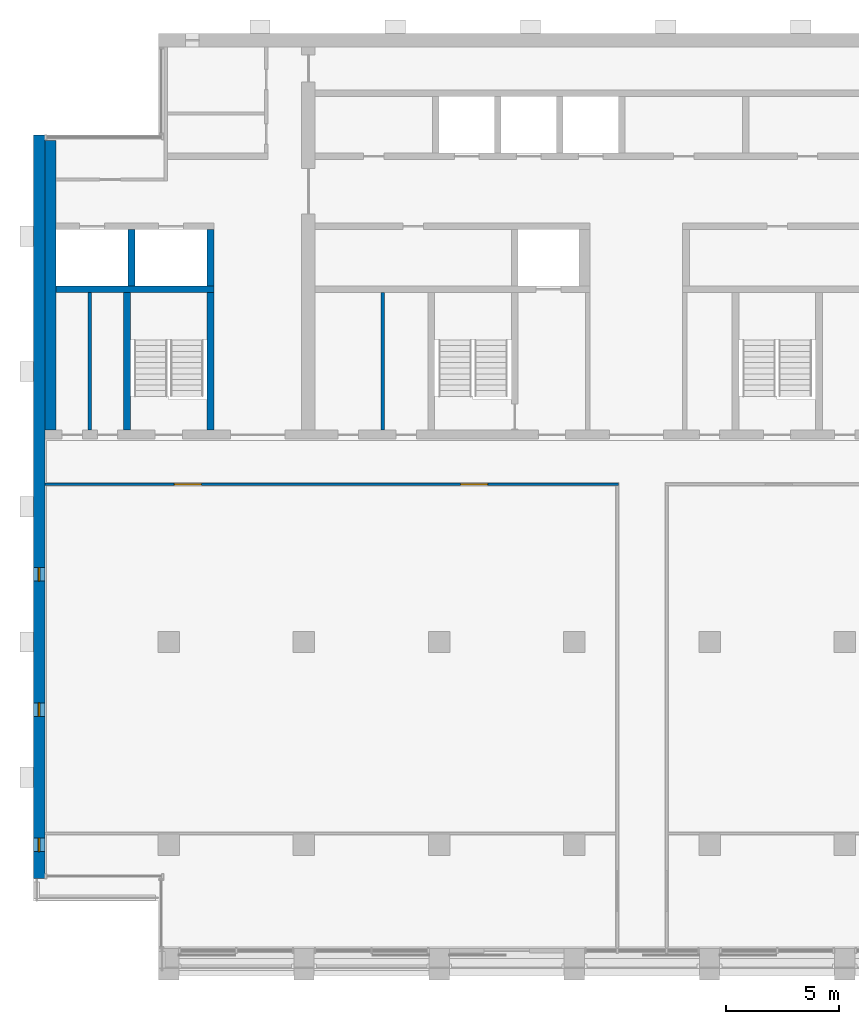
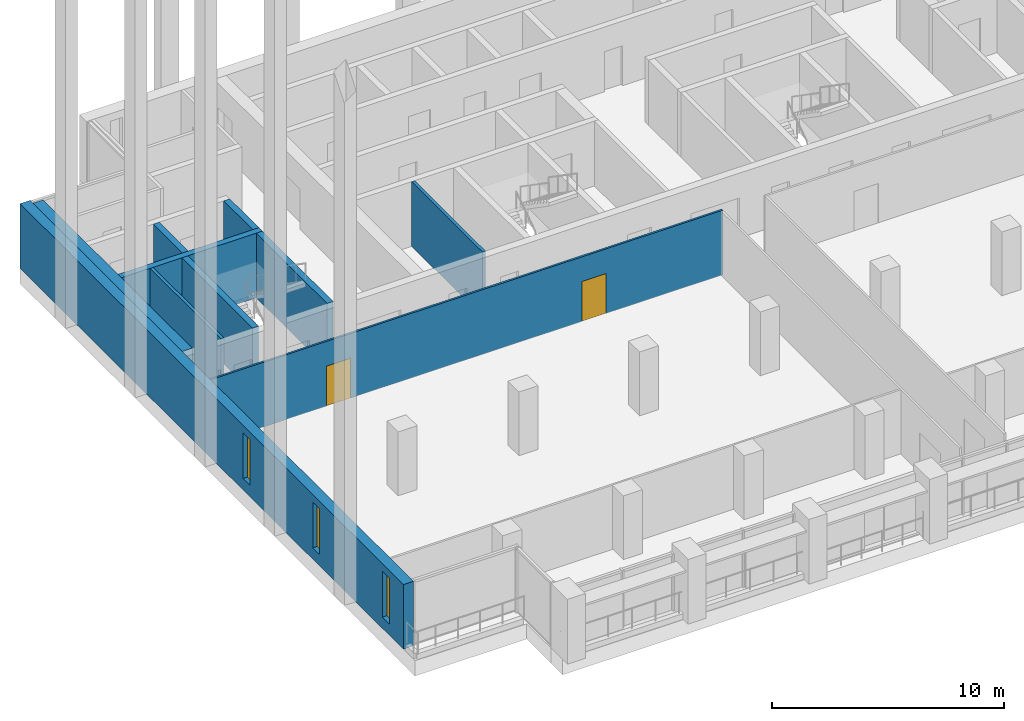
# One storey, part 7 of 16: 10 walls, 3 windows, 2 doors, 5 openings.
"""IFC4 building model written with IfcOpenShell, lengths in metres."""

from ifc_helpers import new_model, si_unit, direction, frame, frame_2d, origin, place, context, subcontext, project, spatial, rectangle, extrude, material, layer, layer_set, type_object, element, fill, save


model = new_model("IFC4")

# Units and contexts
model_context = context("Model", 3, precision=1e-05, world=origin(), true_north=direction((0.0, 1.0)))
body_context = subcontext(model_context, "Body", "Model", "MODEL_VIEW")
ifc_project = project(units=[si_unit("LENGTHUNIT", "METRE"), si_unit("AREAUNIT", "SQUARE_METRE"), si_unit("VOLUMEUNIT", "CUBIC_METRE"), si_unit("PLANEANGLEUNIT", "RADIAN"), si_unit("MASSUNIT", "GRAM", prefix="KILO")], contexts=[model_context])

# Site, building, storey
site_placement = place(None, origin())
site = spatial("IfcSite", under=ifc_project, at=site_placement, CompositionType="ELEMENT")
building_placement = place(site_placement, origin())
building = spatial("IfcBuilding", under=site, at=building_placement, Name="Calvaro Tower", CompositionType="ELEMENT")
storey_placement = place(building_placement, frame((0.0, 0.0, 231.75)))
storey = spatial("IfcBuildingStorey", under=building, at=storey_placement, Name="L58", CompositionType="ELEMENT", Elevation=231.75)

# Walls
ifc_material_1 = material(Name="Blockwork partition", Category="masonry")
ifc_layer_1 = layer(ifc_material_1, 0.14990234375)
ifc_layer_set_1 = layer_set([ifc_layer_1], Name="Blockwork partition")
wall_type_1 = type_object("IfcWallType", Name="Core partition 150 EI 60", PredefinedType="PARTITIONING", material=ifc_layer_set_1)
wall_1_placement = place(storey_placement, frame((8.5, 28.39990234375, 0.0), z_axis=(0.0, 0.0, 1.0), x_axis=(0.0, 1.0, 0.0)))
element("IfcWall", 1, at=wall_1_placement, inside=storey, type_object=wall_type_1, Name="Core partition", PredefinedType="PARTITIONING", context=body_context, shape_type="SweptSolid", body=[
    extrude(rectangle(XDim=6.10009765625, YDim=0.14990234375, at=frame_2d((3.050048828125, 0.0))), origin(), (0.0, 0.0, 1.0), 3.39990234375),
])
ifc_material_2 = material(Name="Blockwork partition", Category="masonry")
ifc_layer_2 = layer(ifc_material_2, 0.14990234375)
ifc_layer_set_2 = layer_set([ifc_layer_2], Name="Blockwork partition")
wall_type_2 = type_object("IfcWallType", Name="Core partition 150 REI 120", PredefinedType="PARTITIONING", material=ifc_layer_set_2)
wall_2_placement = place(storey_placement, frame((21.5, 28.39990234375, 0.0), z_axis=(0.0, 0.0, 1.0), x_axis=(0.0, 1.0, 0.0)))
element("IfcWall", 2, at=wall_2_placement, inside=storey, type_object=wall_type_2, Name="Core partition", PredefinedType="PARTITIONING", context=body_context, shape_type="SweptSolid", body=[
    extrude(rectangle(XDim=6.10009765625, YDim=0.14990234375, at=frame_2d((3.050048828125, 0.0))), origin(), (0.0, 0.0, 1.0), 3.39990234375),
])
ifc_material_3 = material(Name="Concrete C40/50", Category="concrete")
ifc_layer_3 = layer(ifc_material_3, 0.300048828125)
ifc_layer_set_3 = layer_set([ifc_layer_3], Name="Concrete C40/50")
wall_type_3 = type_object("IfcWallType", Name="Core wall C40/50 300", PredefinedType="SHEAR", material=ifc_layer_set_3)
for number, where, z_axis, x_axis, name in (
    (3, (10.14990234375, 28.39990234375, 0.0), (0.0, 0.0, 1.0), (0.0, 1.0, 0.0), "Core wall, stair enclosure"),
    (4, (13.85009765625, 28.39990234375, 0.0), (0.0, 0.0, 1.0), (0.0, 1.0, 0.0), "Core wall, stair enclosure"),
):
    element("IfcWall", number, at=place(storey_placement, frame(where, z_axis=z_axis, x_axis=x_axis)), inside=storey, type_object=wall_type_3, Name=name, PredefinedType="SHEAR", context=body_context, shape_type="SweptSolid", body=[
        extrude(rectangle(XDim=6.10009765625, YDim=0.300048828125, at=frame_2d((3.050048828125, 0.0))), origin(), (0.0, 0.0, 1.0), 3.39990234375),
    ])
wall_3_placement = place(storey_placement, frame((7.0, 34.64990234375, 0.0), z_axis=(0.0, 0.0, 1.0), x_axis=(1.0, 0.0, 0.0)))
element("IfcWall", 5, at=wall_3_placement, inside=storey, type_object=wall_type_3, Name="Core wall, lift shaft", PredefinedType="SHEAR", context=body_context, shape_type="SweptSolid", body=[
    extrude(rectangle(XDim=7.0, YDim=0.300048828125, at=frame_2d((3.5, 0.0))), origin(), (0.0, 0.0, 1.0), 3.39990234375),
])
for number, where, z_axis, x_axis, name in (
    (6, (13.85009765625, 34.800048828125, 0.0), (0.0, 0.0, 1.0), (0.0, 1.0, 0.0), "Core wall, lift shaft"),
    (7, (10.35009765625, 34.800048828125, 0.0), (0.0, 0.0, 1.0), (0.0, 1.0, 0.0), "Core wall, lift shaft"),
):
    element("IfcWall", number, at=place(storey_placement, frame(where, z_axis=z_axis, x_axis=x_axis)), inside=storey, type_object=wall_type_3, Name=name, PredefinedType="SHEAR", context=body_context, shape_type="SweptSolid", body=[
        extrude(rectangle(XDim=2.5, YDim=0.300048828125, at=frame_2d((1.25, 0.0))), origin(), (0.0, 0.0, 1.0), 3.39990234375),
    ])
ifc_material_4 = material(Name="Concrete C40/50", Category="concrete")
ifc_layer_4 = layer(ifc_material_4, 0.5)
ifc_layer_set_4 = layer_set([ifc_layer_4], Name="Concrete C40/50")
wall_type_4 = type_object("IfcWallType", Name="Core wall C40/50 500", PredefinedType="SHEAR", material=ifc_layer_set_4)
wall_4_placement = place(storey_placement, frame((6.75, 28.39990234375, 0.0), z_axis=(0.0, 0.0, 1.0), x_axis=(0.0, 1.0, 0.0)))
element("IfcWall", 8, at=wall_4_placement, inside=storey, type_object=wall_type_4, Name="Core wall, boundary", PredefinedType="SHEAR", context=body_context, shape_type="SweptSolid", body=[
    extrude(rectangle(XDim=12.85009765625, YDim=0.5, at=frame_2d((6.425048828125, 0.0))), origin(), (0.0, 0.0, 1.0), 3.39990234375),
])

# Wall, openings, windows
ifc_material_5 = material(Name="Concrete C40/50", Category="concrete")
ifc_layer_5 = layer(ifc_material_5, 0.5)
ifc_layer_set_5 = layer_set([ifc_layer_5], Name="Concrete C40/50")
wall_type_5 = type_object("IfcWallType", Name="End wall 500 C40/50", PredefinedType="SHEAR", material=ifc_layer_set_5)
wall_5_placement = place(storey_placement, frame((6.25, 8.5, 0.0), z_axis=(0.0, 0.0, 1.0), x_axis=(0.0, 1.0, 0.0)))
wall_5 = element("IfcWall", 9, at=wall_5_placement, inside=storey, type_object=wall_type_5, Name="End shear wall", PredefinedType="SHEAR", context=body_context, shape_type="SweptSolid", body=[
    extrude(rectangle(XDim=33.0, YDim=0.5, at=frame_2d((16.5, 0.0))), origin(), (0.0, 0.0, 1.0), 3.39990234375),
])
opening_1_placement = place(wall_5_placement, frame((1.199951171875, 0.0, 0.60009765625)))
opening_1 = element("IfcOpeningElement", 10, at=opening_1_placement, cuts=wall_5, Name="Opening WW01", PredefinedType="OPENING", context=body_context, shape_type="SweptSolid", body=[
    extrude(rectangle(XDim=0.60009765625, YDim=2.39990234375, at=frame_2d((0.300048828125, 1.199951171875))), frame((0.0, 0.260009765625, 0.0), z_axis=(0.0, -1.0, 0.0), x_axis=(1.0, 0.0, 0.0)), (0.0, 0.0, 1.0), 0.52001953125),
])
opening_2_placement = place(wall_5_placement, frame((7.199951171875, 0.0, 0.60009765625)))
opening_2 = element("IfcOpeningElement", 11, at=opening_2_placement, cuts=wall_5, Name="Opening WW02", PredefinedType="OPENING", context=body_context, shape_type="SweptSolid", body=[
    extrude(rectangle(XDim=0.60009765625, YDim=2.39990234375, at=frame_2d((0.300048828125, 1.199951171875))), frame((0.0, 0.260009765625, 0.0), z_axis=(0.0, -1.0, 0.0), x_axis=(1.0, 0.0, 0.0)), (0.0, 0.0, 1.0), 0.52001953125),
])
opening_3_placement = place(wall_5_placement, frame((13.199951171875, 0.0, 0.60009765625)))
opening_3 = element("IfcOpeningElement", 12, at=opening_3_placement, cuts=wall_5, Name="Opening WW03", PredefinedType="OPENING", context=body_context, shape_type="SweptSolid", body=[
    extrude(rectangle(XDim=0.60009765625, YDim=2.39990234375, at=frame_2d((0.300048828125, 1.199951171875))), frame((0.0, 0.260009765625, 0.0), z_axis=(0.0, -1.0, 0.0), x_axis=(1.0, 0.0, 0.0)), (0.0, 0.0, 1.0), 0.52001953125),
])
ifc_material_6 = material(Name="Glass", Category="glass")
window_type = type_object("IfcWindowType", Name="Slit window 600 x 2400", PartitioningType="SINGLE_PANEL", PredefinedType="WINDOW", material=ifc_material_6)
window_1_placement = place(opening_1_placement, origin())
window_1 = element("IfcWindow", 13, at=window_1_placement, inside=storey, type_object=window_type, Name="Window WW01", OverallHeight=2.39990234375, OverallWidth=0.60009765625, PartitioningType="SINGLE_PANEL", PredefinedType="WINDOW", context=body_context, shape_type="SweptSolid", body=[
    extrude(rectangle(XDim=0.60009765625, YDim=2.39990234375, at=frame_2d((0.300048828125, 1.199951171875))), frame((0.0, 0.030029296875, 0.0), z_axis=(0.0, -1.0, 0.0), x_axis=(1.0, 0.0, 0.0)), (0.0, 0.0, 1.0), 0.06005859375),
])
fill(opening_1, window_1)
window_2_placement = place(opening_2_placement, origin())
window_2 = element("IfcWindow", 14, at=window_2_placement, inside=storey, type_object=window_type, Name="Window WW02", OverallHeight=2.39990234375, OverallWidth=0.60009765625, PartitioningType="SINGLE_PANEL", PredefinedType="WINDOW", context=body_context, shape_type="SweptSolid", body=[
    extrude(rectangle(XDim=0.60009765625, YDim=2.39990234375, at=frame_2d((0.300048828125, 1.199951171875))), frame((0.0, 0.030029296875, 0.0), z_axis=(0.0, -1.0, 0.0), x_axis=(1.0, 0.0, 0.0)), (0.0, 0.0, 1.0), 0.06005859375),
])
fill(opening_2, window_2)
window_3_placement = place(opening_3_placement, origin())
window_3 = element("IfcWindow", 15, at=window_3_placement, inside=storey, type_object=window_type, Name="Window WW03", OverallHeight=2.39990234375, OverallWidth=0.60009765625, PartitioningType="SINGLE_PANEL", PredefinedType="WINDOW", context=body_context, shape_type="SweptSolid", body=[
    extrude(rectangle(XDim=0.60009765625, YDim=2.39990234375, at=frame_2d((0.300048828125, 1.199951171875))), frame((0.0, 0.030029296875, 0.0), z_axis=(0.0, -1.0, 0.0), x_axis=(1.0, 0.0, 0.0)), (0.0, 0.0, 1.0), 0.06005859375),
])
fill(opening_3, window_3)

# Wall, openings, doors
ifc_material_7 = material(Name="Plasterboard on steel studs", Category="steel")
ifc_layer_6 = layer(ifc_material_7, 0.10009765625)
ifc_layer_set_6 = layer_set([ifc_layer_6], Name="Plasterboard on steel studs")
wall_type_6 = type_object("IfcWallType", Name="Partition 100", PredefinedType="PARTITIONING", material=ifc_layer_set_6)
wall_6_placement = place(storey_placement, frame((6.5, 26.0, 0.0), z_axis=(0.0, 0.0, 1.0), x_axis=(1.0, 0.0, 0.0)))
wall_6 = element("IfcWall", 16, at=wall_6_placement, inside=storey, type_object=wall_type_6, Name="Partition T43.W004", PredefinedType="PARTITIONING", context=body_context, shape_type="SweptSolid", body=[
    extrude(rectangle(XDim=25.449951171875, YDim=0.10009765625, at=frame_2d((12.72509765625, 0.0))), origin(), (0.0, 0.0, 1.0), 3.39990234375),
])
opening_4_placement = place(wall_6_placement, frame((5.75, 0.0, 0.0)))
opening_4 = element("IfcOpeningElement", 17, at=opening_4_placement, cuts=wall_6, Name="Opening T43.005", PredefinedType="OPENING", context=body_context, shape_type="SweptSolid", body=[
    extrude(rectangle(XDim=1.199951171875, YDim=2.10009765625, at=frame_2d((0.60009765625, 1.050048828125))), frame((0.0, 0.06005859375, 0.0), z_axis=(0.0, -1.0, 0.0), x_axis=(1.0, 0.0, 0.0)), (0.0, 0.0, 1.0), 0.1201171875),
])
opening_5_placement = place(wall_6_placement, frame((18.449951171875, 0.0, 0.0)))
opening_5 = element("IfcOpeningElement", 18, at=opening_5_placement, cuts=wall_6, Name="Opening T43.006", PredefinedType="OPENING", context=body_context, shape_type="SweptSolid", body=[
    extrude(rectangle(XDim=1.199951171875, YDim=2.10009765625, at=frame_2d((0.60009765625, 1.050048828125))), frame((0.0, 0.06005859375, 0.0), z_axis=(0.0, -1.0, 0.0), x_axis=(1.0, 0.0, 0.0)), (0.0, 0.0, 1.0), 0.1201171875),
])
ifc_material_8 = material(Name="Timber", Category="wood")
door_type = type_object("IfcDoorType", Name="Internal single door 1200 x 2100", OperationType="SINGLE_SWING_LEFT", PredefinedType="DOOR", material=ifc_material_8)
door_1_placement = place(opening_4_placement, origin())
door_1 = element("IfcDoor", 19, at=door_1_placement, inside=storey, type_object=door_type, Name="Door T43.005", OperationType="SINGLE_SWING_LEFT", OverallHeight=2.10009765625, OverallWidth=1.199951171875, PredefinedType="DOOR", context=body_context, shape_type="SweptSolid", body=[
    extrude(rectangle(XDim=1.199951171875, YDim=2.10009765625, at=frame_2d((0.60009765625, 1.050048828125))), frame((0.0, 0.02490234375, 0.0), z_axis=(0.0, -1.0, 0.0), x_axis=(1.0, 0.0, 0.0)), (0.0, 0.0, 1.0), 0.050048828125),
])
fill(opening_4, door_1)
door_2_placement = place(opening_5_placement, origin())
door_2 = element("IfcDoor", 20, at=door_2_placement, inside=storey, type_object=door_type, Name="Door T43.006", OperationType="SINGLE_SWING_RIGHT", OverallHeight=2.10009765625, OverallWidth=1.199951171875, PredefinedType="DOOR", context=body_context, shape_type="SweptSolid", body=[
    extrude(rectangle(XDim=1.199951171875, YDim=2.10009765625, at=frame_2d((0.60009765625, 1.050048828125))), frame((0.0, 0.02490234375, 0.0), z_axis=(0.0, -1.0, 0.0), x_axis=(1.0, 0.0, 0.0)), (0.0, 0.0, 1.0), 0.050048828125),
])
fill(opening_5, door_2)

save(model, "model.ifc")
